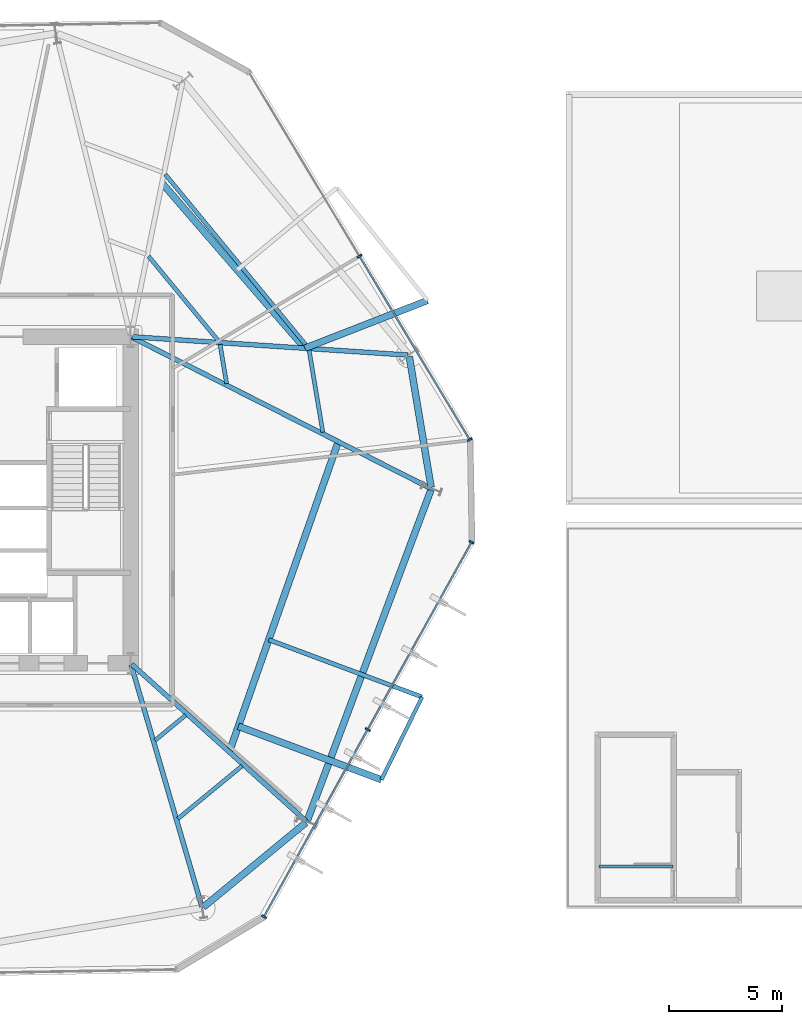
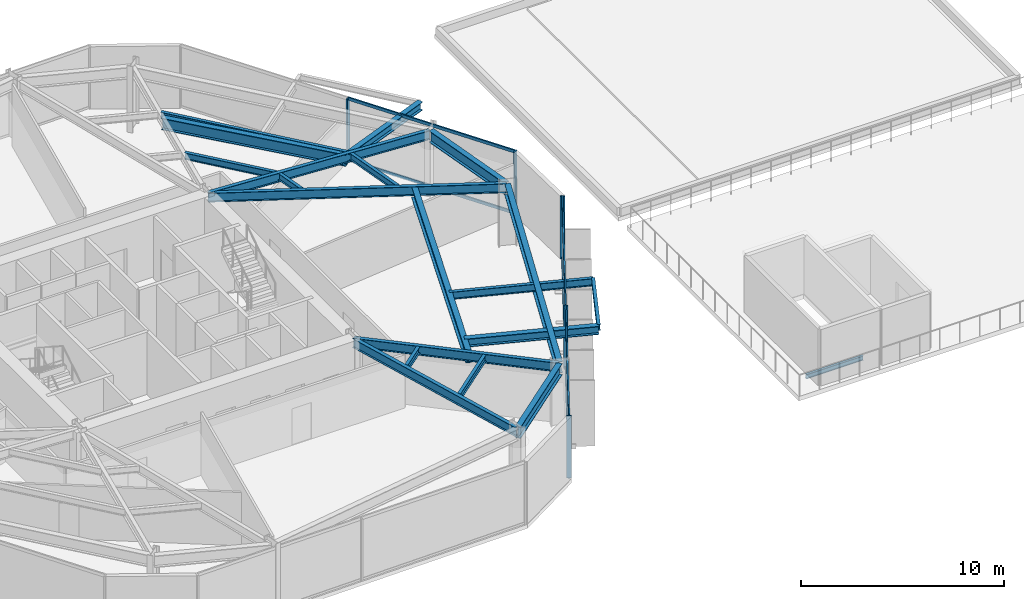
# One storey, part 3 of 11: 20 beams, 11 members, 2 elements without a shape of their own.
"""IFC4 building model written with IfcOpenShell, lengths in metres."""

from ifc_helpers import new_model, si_unit, direction, frame, origin, origin_2d, place, context, subcontext, project, spatial, rectangle, i_section, extrude, material, layer, layer_set, material_profile, profile_set, type_object, element, aggregate, save


model = new_model("IFC4")

# Units and contexts
model_context = context("Model", 3, precision=1e-05, world=origin(), true_north=direction((0.0, 1.0)))
body_context = subcontext(model_context, "Body", "Model", "MODEL_VIEW")
ifc_project = project(units=[si_unit("LENGTHUNIT", "METRE"), si_unit("AREAUNIT", "SQUARE_METRE"), si_unit("VOLUMEUNIT", "CUBIC_METRE"), si_unit("PLANEANGLEUNIT", "RADIAN"), si_unit("MASSUNIT", "GRAM", prefix="KILO")], contexts=[model_context])

# Site, building, storey
site_placement = place(None, origin())
site = spatial("IfcSite", under=ifc_project, at=site_placement, CompositionType="ELEMENT")
building_placement = place(site_placement, origin())
building = spatial("IfcBuilding", under=site, at=building_placement, Name="Kranzbogen Civic Tower", CompositionType="ELEMENT")
storey_placement = place(building_placement, frame((0.0, 0.0, 24.0)))
storey = spatial("IfcBuildingStorey", under=building, at=storey_placement, Name="L05", CompositionType="ELEMENT", Elevation=24.0)

# Beam
ifc_material_1 = material(Name="Steel S355", Category="steel")
ifc_material_profile_1 = material_profile(ifc_material_1, i_section(OverallWidth=0.18994140625, OverallDepth=0.449951171875, WebThickness=0.009521484375, FlangeThickness=0.0146484375, at=origin_2d()), Name="IPE 450")
ifc_profile_set_1 = profile_set([ifc_material_profile_1], Name="Steel S355")
beam_type_1 = type_object("IfcBeamType", Name="Braced Terrace Edge Beam IPE 450", PredefinedType="BEAM", material=ifc_profile_set_1)
beam_1_placement = place(storey_placement, frame((38.886962890625, 18.840087890625, 3.52490234375), z_axis=(0.93669995698, -0.35013310411, 0.0), x_axis=(0.35013310411, 0.93669995698, 0.0)))
element("IfcBeam", 1, at=beam_1_placement, inside=storey, type_object=beam_type_1, Name="L06 back-spanned terrace beam L06-TB2-2", PredefinedType="BEAM", context=body_context, shape_type="SweptSolid", body=[
    extrude(i_section(OverallWidth=0.18994140625, OverallDepth=0.449951171875, WebThickness=0.009521484375, FlangeThickness=0.0146484375, at=origin_2d()), origin(), (0.0, 0.0, 1.0), 7.21484375),
])

# Curtain wall, members
ifc_material_2 = material(Name="Pale Anodised Aluminium", Category="aluminium")
ifc_layer = layer(ifc_material_2, 0.219970703125, Name="Pale Anodised Aluminium")
ifc_layer_set = layer_set([ifc_layer], Name="Pale Anodised Aluminium")
curtain_wall_type = type_object("IfcCurtainWallType", Name="Zone 1 Stick Curtain Wall System CW-02", PredefinedType="USERDEFINED", material=ifc_layer_set)
curtain_wall_1_placement = place(storey_placement, origin())
curtain_wall_1 = element("IfcCurtainWall", 2, at=curtain_wall_1_placement, inside=storey, type_object=curtain_wall_type, Name="L05 curtain wall CW-L05-F1", ObjectType="STICK CURTAIN WALL", PredefinedType="USERDEFINED")
ifc_material_profile_2 = material_profile(ifc_material_2, rectangle(XDim=0.080078125, YDim=0.239990234375, at=origin_2d()), Name="ALU-M 80x240")
ifc_profile_set_2 = profile_set([ifc_material_profile_2], Name="Pale Anodised Aluminium")
member_type_1 = type_object("IfcMemberType", Name="Curtain Wall Mullion ALU-M 80x240", PredefinedType="MULLION", material=ifc_profile_set_2)
member_1_placement = place(storey_placement, frame((47.75244140625, 27.65966796875, 0.0), z_axis=(0.0, 0.0, 1.0), x_axis=(-0.515031495734, 0.857171253836, 0.0)))
member_1 = element("IfcMember", 3, at=member_1_placement, type_object=member_type_1, Name="CW-02 mullion 1", PredefinedType="MULLION", context=body_context, shape_type="SweptSolid", body=[
    extrude(rectangle(XDim=0.080078125, YDim=0.239990234375, at=origin_2d()), origin(), (0.0, 0.0, 1.0), 3.760009765625),
])
member_2_placement = place(storey_placement, frame((42.8916015625, 35.75, 0.0), z_axis=(0.0, 0.0, 1.0), x_axis=(-0.515031495734, 0.857171253836, 0.0)))
member_2 = element("IfcMember", 4, at=member_2_placement, type_object=member_type_1, Name="CW-02 mullion 2", PredefinedType="MULLION", context=body_context, shape_type="SweptSolid", body=[
    extrude(rectangle(XDim=0.080078125, YDim=0.239990234375, at=origin_2d()), origin(), (0.0, 0.0, 1.0), 3.760009765625),
])

curtain_wall_2_placement = place(storey_placement, origin())
curtain_wall_2 = element("IfcCurtainWall", 5, at=curtain_wall_2_placement, inside=storey, type_object=curtain_wall_type, Name="L05 curtain wall CW-L05-F6", ObjectType="STICK CURTAIN WALL", PredefinedType="USERDEFINED")
member_3_placement = place(storey_placement, frame((38.680419921875, 6.625244140625, 0.0), z_axis=(0.0, 0.0, 1.0), x_axis=(0.484727984582, 0.874664953547, 0.0)))
member_3 = element("IfcMember", 6, at=member_3_placement, type_object=member_type_1, Name="CW-02 mullion 1", PredefinedType="MULLION", context=body_context, shape_type="SweptSolid", body=[
    extrude(rectangle(XDim=0.080078125, YDim=0.239990234375, at=origin_2d()), origin(), (0.0, 0.0, 1.0), 3.760009765625),
])
member_4_placement = place(storey_placement, frame((43.255615234375, 14.880615234375, 0.0), z_axis=(0.0, 0.0, 1.0), x_axis=(0.484727984582, 0.874664953547, 0.0)))
member_4 = element("IfcMember", 7, at=member_4_placement, type_object=member_type_1, Name="CW-02 mullion 2", PredefinedType="MULLION", context=body_context, shape_type="SweptSolid", body=[
    extrude(rectangle(XDim=0.080078125, YDim=0.239990234375, at=origin_2d()), origin(), (0.0, 0.0, 1.0), 3.760009765625),
])
member_5_placement = place(storey_placement, frame((47.83056640625, 23.1357421875, 0.0), z_axis=(0.0, 0.0, 1.0), x_axis=(0.484727984582, 0.874664953547, 0.0)))
member_5 = element("IfcMember", 8, at=member_5_placement, type_object=member_type_1, Name="CW-02 mullion 3", PredefinedType="MULLION", context=body_context, shape_type="SweptSolid", body=[
    extrude(rectangle(XDim=0.080078125, YDim=0.239990234375, at=origin_2d()), origin(), (0.0, 0.0, 1.0), 3.760009765625),
])

# Member
ifc_material_profile_3 = material_profile(ifc_material_2, rectangle(XDim=0.080078125, YDim=0.179931640625, at=origin_2d()), Name="ALU-T 80x180")
ifc_profile_set_3 = profile_set([ifc_material_profile_3], Name="Pale Anodised Aluminium")
member_type_2 = type_object("IfcMemberType", Name="Curtain Wall Transom ALU-T 80x180", PredefinedType="USERDEFINED", material=ifc_profile_set_3)
member_6_placement = place(storey_placement, frame((47.737060546875, 27.685546875, 0.030029296875), z_axis=(-0.515027792125, 0.857173479139, 0.0), x_axis=(-0.857173479139, -0.515027792125, 0.0)))
member_6 = element("IfcMember", 9, at=member_6_placement, type_object=member_type_2, Name="CW-02 transom 1.1", ObjectType="TRANSOM", PredefinedType="USERDEFINED", context=body_context, shape_type="SweptSolid", body=[
    extrude(rectangle(XDim=0.080078125, YDim=0.179931640625, at=origin_2d()), origin(), (0.0, 0.0, 1.0), 9.378173828125),
])

member_7_placement = place(storey_placement, frame((47.737060546875, 27.685546875, 3.72998046875), z_axis=(-0.515027792125, 0.857173479139, 0.0), x_axis=(-0.857173479139, -0.515027792125, 0.0)))
member_7 = element("IfcMember", 10, at=member_7_placement, type_object=member_type_2, Name="CW-02 transom 1.2", ObjectType="TRANSOM", PredefinedType="USERDEFINED", context=body_context, shape_type="SweptSolid", body=[
    extrude(rectangle(XDim=0.080078125, YDim=0.179931640625, at=origin_2d()), origin(), (0.0, 0.0, 1.0), 9.378173828125),
])

aggregate(curtain_wall_1, [member_1, member_2, member_6, member_7])

member_8_placement = place(storey_placement, frame((38.695068359375, 6.6513671875, 0.030029296875), z_axis=(0.484725386123, 0.874666393574, 0.0), x_axis=(-0.874666393574, 0.484725386123, 0.0)))
member_8 = element("IfcMember", 11, at=member_8_placement, type_object=member_type_2, Name="CW-02 transom 1.1", ObjectType="TRANSOM", PredefinedType="USERDEFINED", context=body_context, shape_type="SweptSolid", body=[
    extrude(rectangle(XDim=0.080078125, YDim=0.179931640625, at=origin_2d()), origin(), (0.0, 0.0, 1.0), 9.37841796875),
])

member_9_placement = place(storey_placement, frame((38.695068359375, 6.6513671875, 3.72998046875), z_axis=(0.484725386123, 0.874666393574, 0.0), x_axis=(-0.874666393574, 0.484725386123, 0.0)))
member_9 = element("IfcMember", 12, at=member_9_placement, type_object=member_type_2, Name="CW-02 transom 1.2", ObjectType="TRANSOM", PredefinedType="USERDEFINED", context=body_context, shape_type="SweptSolid", body=[
    extrude(rectangle(XDim=0.080078125, YDim=0.179931640625, at=origin_2d()), origin(), (0.0, 0.0, 1.0), 9.37841796875),
])

member_10_placement = place(storey_placement, frame((43.27001953125, 14.90673828125, 0.030029296875), z_axis=(0.484725386123, 0.874666393574, 0.0), x_axis=(-0.874666393574, 0.484725386123, 0.0)))
member_10 = element("IfcMember", 13, at=member_10_placement, type_object=member_type_2, Name="CW-02 transom 2.1", ObjectType="TRANSOM", PredefinedType="USERDEFINED", context=body_context, shape_type="SweptSolid", body=[
    extrude(rectangle(XDim=0.080078125, YDim=0.179931640625, at=origin_2d()), origin(), (0.0, 0.0, 1.0), 9.37841796875),
])

member_11_placement = place(storey_placement, frame((43.27001953125, 14.90673828125, 3.72998046875), z_axis=(0.484725386123, 0.874666393574, 0.0), x_axis=(-0.874666393574, 0.484725386123, 0.0)))
member_11 = element("IfcMember", 14, at=member_11_placement, type_object=member_type_2, Name="CW-02 transom 2.2", ObjectType="TRANSOM", PredefinedType="USERDEFINED", context=body_context, shape_type="SweptSolid", body=[
    extrude(rectangle(XDim=0.080078125, YDim=0.179931640625, at=origin_2d()), origin(), (0.0, 0.0, 1.0), 9.37841796875),
])

aggregate(curtain_wall_2, [member_3, member_4, member_5, member_8, member_9, member_10, member_11])

# Beams
ifc_material_profile_4 = material_profile(ifc_material_1, i_section(OverallWidth=0.300048828125, OverallDepth=0.5, WebThickness=0.014404296875, FlangeThickness=0.028076171875, at=origin_2d()), Name="HEB 500")
ifc_profile_set_4 = profile_set([ifc_material_profile_4], Name="Steel S355")
beam_type_2 = type_object("IfcBeamType", Name="Perimeter Tube Spandrel Beam HEB 500", PredefinedType="SPANDREL", material=ifc_profile_set_4)
beam_2_placement = place(storey_placement, frame((37.5458984375, 15.02294921875, 3.5), z_axis=(0.936701111553, -0.350130015302, 0.0), x_axis=(0.350130015302, 0.936701111553, 0.0)))
element("IfcBeam", 15, at=beam_2_placement, inside=storey, type_object=beam_type_2, Name="L06 back-spanned terrace beam L06-TB2-1", PredefinedType="SPANDREL", context=body_context, shape_type="SweptSolid", body=[
    extrude(i_section(OverallWidth=0.300048828125, OverallDepth=0.5, WebThickness=0.014404296875, FlangeThickness=0.028076171875, at=origin_2d()), origin(), (0.0, 0.0, 1.0), 6.734375),
])
beam_3_placement = place(storey_placement, frame((40.48193359375, 31.68994140625, 3.469970703125), z_axis=(0.93172707693, 0.363159268248, 0.0), x_axis=(-0.363159268248, 0.93172707693, 0.0)))
element("IfcBeam", 16, at=beam_3_placement, inside=storey, type_object=beam_type_2, Name="L06 back-spanned terrace beam L06-ST-1", PredefinedType="SPANDREL", context=body_context, shape_type="SweptSolid", body=[
    extrude(i_section(OverallWidth=0.300048828125, OverallDepth=0.5, WebThickness=0.014404296875, FlangeThickness=0.028076171875, at=origin_2d()), origin(), (0.0, 0.0, 1.0), 5.799072265625),
])
ifc_material_profile_5 = material_profile(ifc_material_1, i_section(OverallWidth=0.300048828125, OverallDepth=0.699951171875, WebThickness=0.01708984375, FlangeThickness=0.031982421875, at=origin_2d()), Name="HEB 700")
ifc_profile_set_5 = profile_set([ifc_material_profile_5], Name="Steel S355")
beam_type_3 = type_object("IfcBeamType", Name="Perimeter Tube Spandrel Beam HEB 700", PredefinedType="SPANDREL", material=ifc_profile_set_5)
beam_4_placement = place(storey_placement, frame((36.00390625, 7.050048828125, 3.409912109375), z_axis=(0.77168336865, 0.636006901337, 0.0), x_axis=(-0.636006901337, 0.77168336865, 0.0)))
element("IfcBeam", 17, at=beam_4_placement, inside=storey, type_object=beam_type_3, Name="L05 perimeter spandrel beam 05", PredefinedType="SPANDREL", context=body_context, shape_type="SweptSolid", body=[
    extrude(i_section(OverallWidth=0.300048828125, OverallDepth=0.699951171875, WebThickness=0.01708984375, FlangeThickness=0.031982421875, at=origin_2d()), origin(), (0.0, 0.0, 1.0), 5.853515625),
])
beam_5_placement = place(storey_placement, frame((40.587890625, 10.866943359375, 3.409912109375), z_axis=(0.350172267932, 0.936685316833, 0.0), x_axis=(-0.936685316833, 0.350172267932, 0.0)))
element("IfcBeam", 18, at=beam_5_placement, inside=storey, type_object=beam_type_3, Name="L05 perimeter spandrel beam 06", PredefinedType="SPANDREL", context=body_context, shape_type="SweptSolid", body=[
    extrude(i_section(OverallWidth=0.300048828125, OverallDepth=0.699951171875, WebThickness=0.01708984375, FlangeThickness=0.031982421875, at=origin_2d()), origin(), (0.0, 0.0, 1.0), 15.55810546875),
])
beam_6_placement = place(storey_placement, frame((46.047119140625, 25.554931640625, 3.409912109375), z_axis=(-0.164913116942, 0.986308097838, 0.0), x_axis=(-0.986308097838, -0.164913116942, 0.0)))
element("IfcBeam", 19, at=beam_6_placement, inside=storey, type_object=beam_type_3, Name="L05 perimeter spandrel beam 07", PredefinedType="SPANDREL", context=body_context, shape_type="SweptSolid", body=[
    extrude(i_section(OverallWidth=0.300048828125, OverallDepth=0.699951171875, WebThickness=0.01708984375, FlangeThickness=0.031982421875, at=origin_2d()), origin(), (0.0, 0.0, 1.0), 5.85205078125),
])
beam_7_placement = place(storey_placement, frame((37.14794921875, 13.887939453125, 3.39990234375), z_axis=(0.331242591506, 0.943545624531, 0.0), x_axis=(-0.943545624531, 0.331242591506, 0.0)))
element("IfcBeam", 20, at=beam_7_placement, inside=storey, type_object=beam_type_3, Name="L06 balcony back-span header girder L06-TB2", PredefinedType="SPANDREL", context=body_context, shape_type="SweptSolid", body=[
    extrude(i_section(OverallWidth=0.300048828125, OverallDepth=0.699951171875, WebThickness=0.01708984375, FlangeThickness=0.031982421875, at=origin_2d()), origin(), (0.0, 0.0, 1.0), 14.5029296875),
])
beam_8_placement = place(storey_placement, frame((40.48193359375, 31.68994140625, 3.3701171875), z_axis=(-0.654072384898, 0.75643196344, 0.0), x_axis=(-0.75643196344, -0.654072384898, 0.0)))
element("IfcBeam", 21, at=beam_8_placement, inside=storey, type_object=beam_type_3, Name="L06 balcony back-span header girder L06-ST", PredefinedType="SPANDREL", context=body_context, shape_type="SweptSolid", body=[
    extrude(i_section(OverallWidth=0.300048828125, OverallDepth=0.699951171875, WebThickness=0.01708984375, FlangeThickness=0.031982421875, at=origin_2d()), origin(), (0.0, 0.0, 1.0), 9.633544921875),
])
ifc_material_profile_6 = material_profile(ifc_material_1, i_section(OverallWidth=0.2099609375, OverallDepth=0.550048828125, WebThickness=0.010986328125, FlangeThickness=0.01708984375, at=origin_2d()), Name="IPE 550")
ifc_profile_set_6 = profile_set([ifc_material_profile_6], Name="Steel S355")
beam_type_4 = type_object("IfcBeamType", Name="Radial Tower Floor Girder IPE 550", PredefinedType="BEAM", material=ifc_profile_set_6)
beam_9_placement = place(storey_placement, frame((35.94091796875, 7.070068359375, 3.485107421875), z_axis=(-0.280944131918, 0.959724124288, 0.0), x_axis=(-0.959724124288, -0.280944131918, 0.0)))
element("IfcBeam", 22, at=beam_9_placement, inside=storey, type_object=beam_type_4, Name="L05 radial floor girder 05", PredefinedType="BEAM", context=body_context, shape_type="SweptSolid", body=[
    extrude(i_section(OverallWidth=0.2099609375, OverallDepth=0.550048828125, WebThickness=0.010986328125, FlangeThickness=0.01708984375, at=origin_2d()), origin(), (0.0, 0.0, 1.0), 11.11962890625),
])
beam_10_placement = place(storey_placement, frame((40.52197265625, 10.85107421875, 3.485107421875), z_axis=(-0.743311776894, 0.668945141496, 0.0), x_axis=(-0.668945141496, -0.743311776894, 0.0)))
element("IfcBeam", 23, at=beam_10_placement, inside=storey, type_object=beam_type_4, Name="L05 radial floor girder 06", PredefinedType="BEAM", context=body_context, shape_type="SweptSolid", body=[
    extrude(i_section(OverallWidth=0.2099609375, OverallDepth=0.550048828125, WebThickness=0.010986328125, FlangeThickness=0.01708984375, at=origin_2d()), origin(), (0.0, 0.0, 1.0), 10.328125),
])
beam_11_placement = place(storey_placement, frame((46.0029296875, 25.52294921875, 3.485107421875), z_axis=(-0.892363219254, 0.451317942168, 0.0), x_axis=(-0.451317942168, -0.892363219254, 0.0)))
element("IfcBeam", 24, at=beam_11_placement, inside=storey, type_object=beam_type_4, Name="L05 radial floor girder 07", PredefinedType="BEAM", context=body_context, shape_type="SweptSolid", body=[
    extrude(i_section(OverallWidth=0.2099609375, OverallDepth=0.550048828125, WebThickness=0.010986328125, FlangeThickness=0.01708984375, at=origin_2d()), origin(), (0.0, 0.0, 1.0), 14.73486328125),
])
beam_12_placement = place(storey_placement, frame((45.011962890625, 31.389892578125, 3.485107421875), z_axis=(-0.99780674843, 0.066194356156, 0.0), x_axis=(-0.066194356156, -0.99780674843, 0.0)))
element("IfcBeam", 25, at=beam_12_placement, inside=storey, type_object=beam_type_4, Name="L05 radial floor girder 08", PredefinedType="BEAM", context=body_context, shape_type="SweptSolid", body=[
    extrude(i_section(OverallWidth=0.2099609375, OverallDepth=0.550048828125, WebThickness=0.010986328125, FlangeThickness=0.01708984375, at=origin_2d()), origin(), (0.0, 0.0, 1.0), 12.178466796875),
])
ifc_material_profile_7 = material_profile(ifc_material_1, i_section(OverallWidth=0.169921875, OverallDepth=0.360107421875, WebThickness=0.008056640625, FlangeThickness=0.0126953125, at=origin_2d()), Name="IPE 360")
ifc_profile_set_7 = profile_set([ifc_material_profile_7], Name="Steel S355")
beam_type_5 = type_object("IfcBeamType", Name="Secondary Composite Floor Joist IPE 360", PredefinedType="JOIST", material=ifc_profile_set_7)
beam_13_placement = place(storey_placement, frame((43.85400390625, 12.6650390625, 3.570068359375), z_axis=(0.440618631172, 0.897694392243, 0.0), x_axis=(-0.897694392243, 0.440618631172, 0.0)))
element("IfcBeam", 26, at=beam_13_placement, inside=storey, type_object=beam_type_5, Name="L06 terrace outer edge trimmer L06-TB2", PredefinedType="JOIST", context=body_context, shape_type="SweptSolid", body=[
    extrude(i_section(OverallWidth=0.169921875, OverallDepth=0.360107421875, WebThickness=0.008056640625, FlangeThickness=0.0126953125, at=origin_2d()), origin(), (0.0, 0.0, 1.0), 4.064697265625),
])
ifc_material_profile_8 = material_profile(ifc_material_1, i_section(OverallWidth=0.179931640625, OverallDepth=0.39990234375, WebThickness=0.008544921875, FlangeThickness=0.013427734375, at=origin_2d()), Name="IPE 400")
ifc_profile_set_8 = profile_set([ifc_material_profile_8], Name="Steel S355")
beam_type_6 = type_object("IfcBeamType", Name="Secondary Composite Floor Joist IPE 400", PredefinedType="JOIST", material=ifc_profile_set_8)
beam_14_placement = place(storey_placement, frame((34.883056640625, 10.947021484375, 3.56005859375), z_axis=(0.771712720426, 0.635971286406, 0.0), x_axis=(-0.635971286406, 0.771712720426, 0.0)))
element("IfcBeam", 27, at=beam_14_placement, inside=storey, type_object=beam_type_6, Name="L05 secondary floor joist 1.05", PredefinedType="JOIST", context=body_context, shape_type="SweptSolid", body=[
    extrude(i_section(OverallWidth=0.179931640625, OverallDepth=0.39990234375, WebThickness=0.008544921875, FlangeThickness=0.013427734375, at=origin_2d()), origin(), (0.0, 0.0, 1.0), 3.661865234375),
])
beam_15_placement = place(storey_placement, frame((33.8720703125, 14.39892578125, 3.56005859375), z_axis=(0.771773324836, 0.635897739477, 0.0), x_axis=(-0.635897739477, 0.771773324836, 0.0)))
element("IfcBeam", 28, at=beam_15_placement, inside=storey, type_object=beam_type_6, Name="L05 secondary floor joist 2.05", PredefinedType="JOIST", context=body_context, shape_type="SweptSolid", body=[
    extrude(i_section(OverallWidth=0.179931640625, OverallDepth=0.39990234375, WebThickness=0.008544921875, FlangeThickness=0.013427734375, at=origin_2d()), origin(), (0.0, 0.0, 1.0), 1.751953125),
])
beam_16_placement = place(storey_placement, frame((41.27099609375, 27.988037109375, 3.56005859375), z_axis=(-0.164928678379, 0.986305495802, 0.0), x_axis=(-0.986305495802, -0.164928678379, 0.0)))
element("IfcBeam", 29, at=beam_16_placement, inside=storey, type_object=beam_type_6, Name="L05 secondary floor joist 1.07", PredefinedType="JOIST", context=body_context, shape_type="SweptSolid", body=[
    extrude(i_section(OverallWidth=0.179931640625, OverallDepth=0.39990234375, WebThickness=0.008544921875, FlangeThickness=0.013427734375, at=origin_2d()), origin(), (0.0, 0.0, 1.0), 3.662109375),
])
beam_17_placement = place(storey_placement, frame((37.029052734375, 30.134033203125, 3.56005859375), z_axis=(-0.165077224104, 0.986280644686, 0.0), x_axis=(-0.986280644686, -0.165077224104, 0.0)))
element("IfcBeam", 30, at=beam_17_placement, inside=storey, type_object=beam_type_6, Name="L05 secondary floor joist 2.07", PredefinedType="JOIST", context=body_context, shape_type="SweptSolid", body=[
    extrude(i_section(OverallWidth=0.179931640625, OverallDepth=0.39990234375, WebThickness=0.008544921875, FlangeThickness=0.013427734375, at=origin_2d()), origin(), (0.0, 0.0, 1.0), 1.7509765625),
])
beam_18_placement = place(storey_placement, frame((40.60302734375, 31.740966796875, 3.56005859375), z_axis=(-0.636094561772, 0.771611112209, 0.0), x_axis=(-0.771611112209, -0.636094561772, 0.0)))
element("IfcBeam", 31, at=beam_18_placement, inside=storey, type_object=beam_type_6, Name="L05 secondary floor joist 1.08", PredefinedType="JOIST", context=body_context, shape_type="SweptSolid", body=[
    extrude(i_section(OverallWidth=0.179931640625, OverallDepth=0.39990234375, WebThickness=0.008544921875, FlangeThickness=0.013427734375, at=origin_2d()), origin(), (0.0, 0.0, 1.0), 9.874267578125),
])
beam_19_placement = place(storey_placement, frame((36.676025390625, 32.0009765625, 3.56005859375), z_axis=(-0.636012010413, 0.771679157818, 0.0), x_axis=(-0.771679157818, -0.636012010413, 0.0)))
element("IfcBeam", 32, at=beam_19_placement, inside=storey, type_object=beam_type_6, Name="L05 secondary floor joist 2.08", PredefinedType="JOIST", context=body_context, shape_type="SweptSolid", body=[
    extrude(i_section(OverallWidth=0.179931640625, OverallDepth=0.39990234375, WebThickness=0.008544921875, FlangeThickness=0.013427734375, at=origin_2d()), origin(), (0.0, 0.0, 1.0), 4.85693359375),
])
ifc_material_profile_9 = material_profile(ifc_material_1, i_section(OverallWidth=0.135009765625, OverallDepth=0.27001953125, WebThickness=0.006591796875, FlangeThickness=0.01025390625, at=origin_2d()), Name="IPE 270")
ifc_profile_set_9 = profile_set([ifc_material_profile_9], Name="Steel S355")
beam_type_7 = type_object("IfcBeamType", Name="Stair Landing Support Beam IPE 270", PredefinedType="JOIST", material=ifc_profile_set_9)
beam_20_placement = place(storey_placement, frame((56.699951171875, 8.840087890625, -0.405029296875), z_axis=(-1.0, 0.0, 0.0), x_axis=(0.0, -1.0, 0.0)))
element("IfcBeam", 33, at=beam_20_placement, inside=storey, type_object=beam_type_7, Name="L05 ST-H1 stair floor header beam", PredefinedType="JOIST", context=body_context, shape_type="SweptSolid", body=[
    extrude(i_section(OverallWidth=0.135009765625, OverallDepth=0.27001953125, WebThickness=0.006591796875, FlangeThickness=0.01025390625, at=origin_2d()), origin(), (0.0, 0.0, 1.0), 3.25),
])

save(model, "model.ifc")
